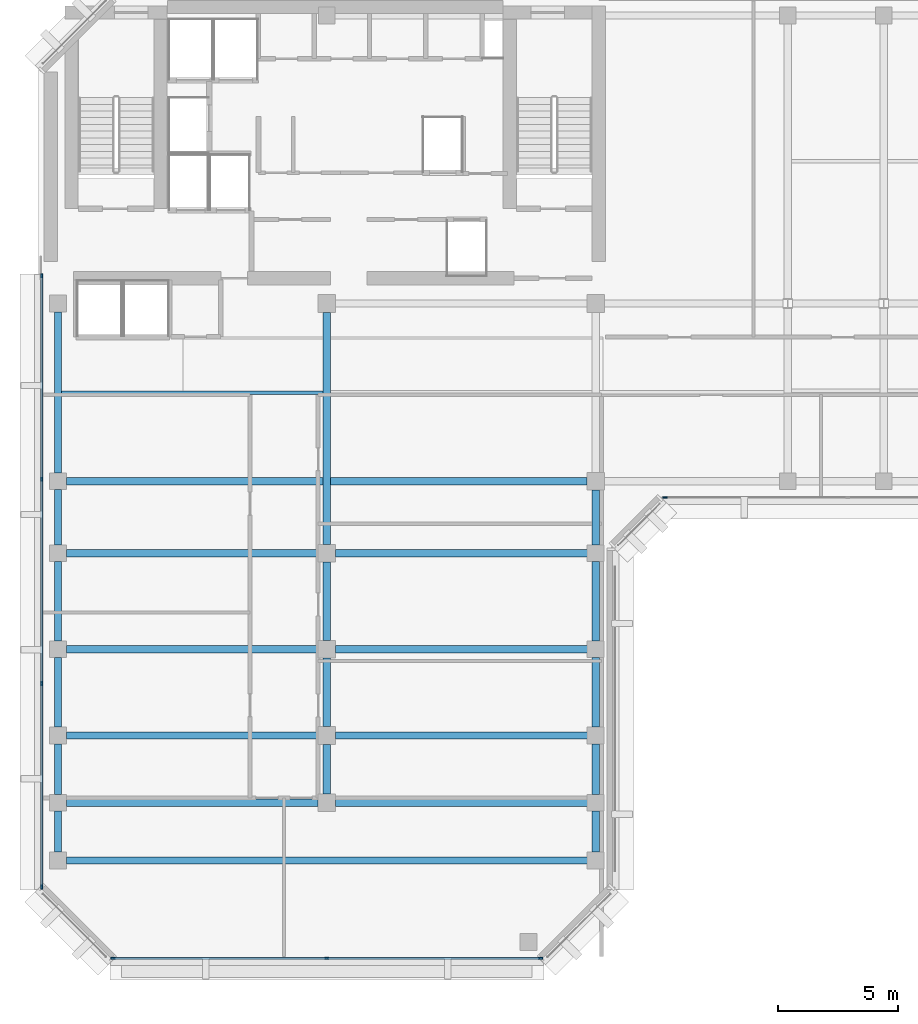
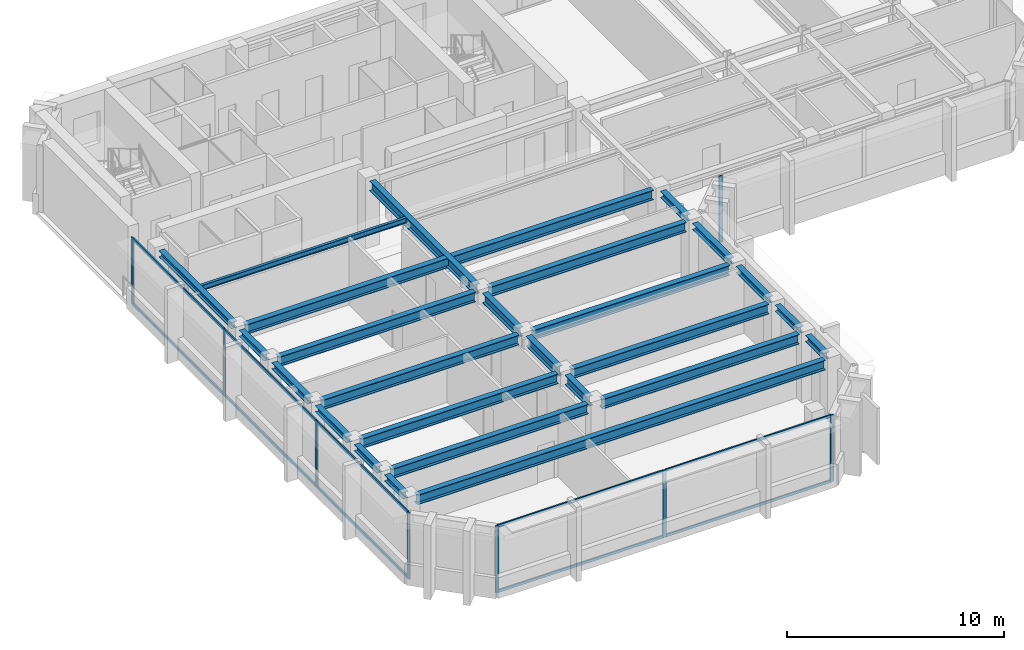
# One storey, part 2 of 11: 26 beams, 18 members, 3 elements without a shape of their own.
"""IFC4 building model written with IfcOpenShell, lengths in metres."""

from ifc_helpers import new_model, si_unit, direction, frame, origin, origin_2d, place, context, subcontext, project, spatial, rectangle, i_section, extrude, material, layer, layer_set, material_profile, profile_set, type_object, element, aggregate, save


model = new_model("IFC4")

# Units and contexts
model_context = context("Model", 3, precision=1e-05, world=origin(), true_north=direction((0.0, 1.0)))
body_context = subcontext(model_context, "Body", "Model", "MODEL_VIEW")
ifc_project = project(units=[si_unit("LENGTHUNIT", "METRE"), si_unit("AREAUNIT", "SQUARE_METRE"), si_unit("VOLUMEUNIT", "CUBIC_METRE"), si_unit("PLANEANGLEUNIT", "RADIAN"), si_unit("MASSUNIT", "GRAM", prefix="KILO")], contexts=[model_context])

# Site, building, storey
site_placement = place(None, origin())
site = spatial("IfcSite", under=ifc_project, at=site_placement, CompositionType="ELEMENT")
building_placement = place(site_placement, origin())
building = spatial("IfcBuilding", under=site, at=building_placement, Name="Kefirva Bronze Tower", CompositionType="ELEMENT")
storey_placement = place(building_placement, frame((0.0, 0.0, 303.929931640625)))
storey = spatial("IfcBuildingStorey", under=building, at=storey_placement, Name="L74", CompositionType="ELEMENT", Elevation=303.929931640625)

# Curtain wall, members
ifc_material_1 = material(Name="Bronze anodised aluminium", Category="aluminium")
ifc_layer = layer(ifc_material_1, 0.179931640625, Name="Bronze anodised aluminium")
ifc_layer_set = layer_set([ifc_layer], Name="Bronze anodised aluminium")
curtain_wall_type = type_object("IfcCurtainWallType", Name="Unitised Bronze Ribbon Curtain Wall Zone 4", PredefinedType="USERDEFINED", material=ifc_layer_set)
curtain_wall_1_placement = place(storey_placement, origin())
curtain_wall_1 = element("IfcCurtainWall", 1, at=curtain_wall_1_placement, inside=storey, type_object=curtain_wall_type, Name="L74 Curtain Wall 1", ObjectType="UNITISED CURTAIN WALL", PredefinedType="USERDEFINED")
ifc_material_profile_1 = material_profile(ifc_material_1, rectangle(XDim=0.074951171875, YDim=0.179931640625, at=origin_2d()), Name="ALU 75x180")
ifc_profile_set_1 = profile_set([ifc_material_profile_1], Name="Bronze anodised aluminium")
member_type_1 = type_object("IfcMemberType", Name="Bronze Mullion 75x180", PredefinedType="MULLION", material=ifc_profile_set_1)
member_1_placement = place(storey_placement, frame((3.092529296875, 5.919921875, 0.0), z_axis=(0.0, 0.0, 1.0), x_axis=(0.0, 1.0, 0.0)))
member_1 = element("IfcMember", 2, at=member_1_placement, type_object=member_type_1, Name="CW-04 mullion 1", PredefinedType="MULLION", context=body_context, shape_type="SweptSolid", body=[
    extrude(rectangle(XDim=0.074951171875, YDim=0.179931640625, at=origin_2d()), origin(), (0.0, 0.0, 1.0), 3.739990234375),
])
member_2_placement = place(storey_placement, frame((12.0, 5.919921875, 0.0), z_axis=(0.0, 0.0, 1.0), x_axis=(0.0, 1.0, 0.0)))
member_2 = element("IfcMember", 3, at=member_2_placement, type_object=member_type_1, Name="CW-04 mullion 2", PredefinedType="MULLION", context=body_context, shape_type="SweptSolid", body=[
    extrude(rectangle(XDim=0.074951171875, YDim=0.179931640625, at=origin_2d()), origin(), (0.0, 0.0, 1.0), 3.739990234375),
])
member_3_placement = place(storey_placement, frame((20.907470703125, 5.919921875, 0.0), z_axis=(0.0, 0.0, 1.0), x_axis=(0.0, 1.0, 0.0)))
member_3 = element("IfcMember", 4, at=member_3_placement, type_object=member_type_1, Name="CW-04 mullion 3", PredefinedType="MULLION", context=body_context, shape_type="SweptSolid", body=[
    extrude(rectangle(XDim=0.074951171875, YDim=0.179931640625, at=origin_2d()), origin(), (0.0, 0.0, 1.0), 3.739990234375),
])

# Curtain wall, member
curtain_wall_2_placement = place(storey_placement, origin())
curtain_wall_2 = element("IfcCurtainWall", 5, at=curtain_wall_2_placement, inside=storey, type_object=curtain_wall_type, Name="L74 Curtain Wall 2", ObjectType="UNITISED CURTAIN WALL", PredefinedType="USERDEFINED")
member_4_placement = place(storey_placement, frame((26.092529296875, 25.1201171875, 0.0), z_axis=(0.0, 0.0, 1.0), x_axis=(0.0, 1.0, 0.0)))
member_4 = element("IfcMember", 6, at=member_4_placement, type_object=member_type_1, Name="CW-04 mullion 1", PredefinedType="MULLION", context=body_context, shape_type="SweptSolid", body=[
    extrude(rectangle(XDim=0.074951171875, YDim=0.179931640625, at=origin_2d()), origin(), (0.0, 0.0, 1.0), 3.739990234375),
])
aggregate(curtain_wall_2, [member_4])

# Curtain wall, members
curtain_wall_3_placement = place(storey_placement, origin())
curtain_wall_3 = element("IfcCurtainWall", 7, at=curtain_wall_3_placement, inside=storey, type_object=curtain_wall_type, Name="L74 Curtain Wall 5", ObjectType="UNITISED CURTAIN WALL", PredefinedType="USERDEFINED")
member_5_placement = place(storey_placement, frame((0.1201171875, 34.357421875, 0.0), z_axis=(0.0, 0.0, 1.0), x_axis=(1.0, 0.0, 0.0)))
member_5 = element("IfcMember", 8, at=member_5_placement, type_object=member_type_1, Name="CW-04 mullion 1", PredefinedType="MULLION", context=body_context, shape_type="SweptSolid", body=[
    extrude(rectangle(XDim=0.074951171875, YDim=0.179931640625, at=origin_2d()), origin(), (0.0, 0.0, 1.0), 3.739990234375),
])
member_6_placement = place(storey_placement, frame((0.1201171875, 25.881591796875, 0.0), z_axis=(0.0, 0.0, 1.0), x_axis=(1.0, 0.0, 0.0)))
member_6 = element("IfcMember", 9, at=member_6_placement, type_object=member_type_1, Name="CW-04 mullion 2", PredefinedType="MULLION", context=body_context, shape_type="SweptSolid", body=[
    extrude(rectangle(XDim=0.074951171875, YDim=0.179931640625, at=origin_2d()), origin(), (0.0, 0.0, 1.0), 3.739990234375),
])
member_7_placement = place(storey_placement, frame((0.1201171875, 17.368408203125, 0.0), z_axis=(0.0, 0.0, 1.0), x_axis=(1.0, 0.0, 0.0)))
member_7 = element("IfcMember", 10, at=member_7_placement, type_object=member_type_1, Name="CW-04 mullion 3", PredefinedType="MULLION", context=body_context, shape_type="SweptSolid", body=[
    extrude(rectangle(XDim=0.074951171875, YDim=0.179931640625, at=origin_2d()), origin(), (0.0, 0.0, 1.0), 3.739990234375),
])
member_8_placement = place(storey_placement, frame((0.1201171875, 8.892578125, 0.0), z_axis=(0.0, 0.0, 1.0), x_axis=(1.0, 0.0, 0.0)))
member_8 = element("IfcMember", 11, at=member_8_placement, type_object=member_type_1, Name="CW-04 mullion 4", PredefinedType="MULLION", context=body_context, shape_type="SweptSolid", body=[
    extrude(rectangle(XDim=0.074951171875, YDim=0.179931640625, at=origin_2d()), origin(), (0.0, 0.0, 1.0), 3.739990234375),
])

# Member
ifc_material_profile_2 = material_profile(ifc_material_1, rectangle(XDim=0.074951171875, YDim=0.14990234375, at=origin_2d()), Name="ALU 75x150")
ifc_profile_set_2 = profile_set([ifc_material_profile_2], Name="Bronze anodised aluminium")
member_type_2 = type_object("IfcMemberType", Name="Bronze Transom 75x150", PredefinedType="USERDEFINED", material=ifc_profile_set_2)
member_9_placement = place(storey_placement, frame((3.1298828125, 5.919921875, 0.03759765625), z_axis=(1.0, 0.0, 0.0), x_axis=(0.0, 1.0, 0.0)))
member_9 = element("IfcMember", 12, at=member_9_placement, type_object=member_type_2, Name="CW-04 transom 1.1", ObjectType="TRANSOM", PredefinedType="USERDEFINED", context=body_context, shape_type="SweptSolid", body=[
    extrude(rectangle(XDim=0.074951171875, YDim=0.14990234375, at=origin_2d()), origin(), (0.0, 0.0, 1.0), 8.83251953125),
])

member_10_placement = place(storey_placement, frame((3.1298828125, 5.919921875, 3.70263671875), z_axis=(1.0, 0.0, 0.0), x_axis=(0.0, 1.0, 0.0)))
member_10 = element("IfcMember", 13, at=member_10_placement, type_object=member_type_2, Name="CW-04 transom 1.2", ObjectType="TRANSOM", PredefinedType="USERDEFINED", context=body_context, shape_type="SweptSolid", body=[
    extrude(rectangle(XDim=0.074951171875, YDim=0.14990234375, at=origin_2d()), origin(), (0.0, 0.0, 1.0), 8.83251953125),
])

member_11_placement = place(storey_placement, frame((12.03759765625, 5.919921875, 0.03759765625), z_axis=(1.0, 0.0, 0.0), x_axis=(0.0, 1.0, 0.0)))
member_11 = element("IfcMember", 14, at=member_11_placement, type_object=member_type_2, Name="CW-04 transom 2.1", ObjectType="TRANSOM", PredefinedType="USERDEFINED", context=body_context, shape_type="SweptSolid", body=[
    extrude(rectangle(XDim=0.074951171875, YDim=0.14990234375, at=origin_2d()), origin(), (0.0, 0.0, 1.0), 8.83251953125),
])

member_12_placement = place(storey_placement, frame((12.03759765625, 5.919921875, 3.70263671875), z_axis=(1.0, 0.0, 0.0), x_axis=(0.0, 1.0, 0.0)))
member_12 = element("IfcMember", 15, at=member_12_placement, type_object=member_type_2, Name="CW-04 transom 2.2", ObjectType="TRANSOM", PredefinedType="USERDEFINED", context=body_context, shape_type="SweptSolid", body=[
    extrude(rectangle(XDim=0.074951171875, YDim=0.14990234375, at=origin_2d()), origin(), (0.0, 0.0, 1.0), 8.83251953125),
])

aggregate(curtain_wall_1, [member_1, member_2, member_3, member_9, member_10, member_11, member_12])

member_13_placement = place(storey_placement, frame((0.1201171875, 34.320068359375, 0.03759765625), z_axis=(0.0, -1.0, 0.0), x_axis=(1.0, 0.0, 0.0)))
member_13 = element("IfcMember", 16, at=member_13_placement, type_object=member_type_2, Name="CW-04 transom 1.1", ObjectType="TRANSOM", PredefinedType="USERDEFINED", context=body_context, shape_type="SweptSolid", body=[
    extrude(rectangle(XDim=0.074951171875, YDim=0.14990234375, at=origin_2d()), origin(), (0.0, 0.0, 1.0), 8.40087890625),
])

member_14_placement = place(storey_placement, frame((0.1201171875, 34.320068359375, 3.70263671875), z_axis=(0.0, -1.0, 0.0), x_axis=(1.0, 0.0, 0.0)))
member_14 = element("IfcMember", 17, at=member_14_placement, type_object=member_type_2, Name="CW-04 transom 1.2", ObjectType="TRANSOM", PredefinedType="USERDEFINED", context=body_context, shape_type="SweptSolid", body=[
    extrude(rectangle(XDim=0.074951171875, YDim=0.14990234375, at=origin_2d()), origin(), (0.0, 0.0, 1.0), 8.40087890625),
])

member_15_placement = place(storey_placement, frame((0.1201171875, 25.84423828125, 0.03759765625), z_axis=(0.0, -1.0, 0.0), x_axis=(1.0, 0.0, 0.0)))
member_15 = element("IfcMember", 18, at=member_15_placement, type_object=member_type_2, Name="CW-04 transom 2.1", ObjectType="TRANSOM", PredefinedType="USERDEFINED", context=body_context, shape_type="SweptSolid", body=[
    extrude(rectangle(XDim=0.074951171875, YDim=0.14990234375, at=origin_2d()), origin(), (0.0, 0.0, 1.0), 8.4384765625),
])

member_16_placement = place(storey_placement, frame((0.1201171875, 25.84423828125, 3.70263671875), z_axis=(0.0, -1.0, 0.0), x_axis=(1.0, 0.0, 0.0)))
member_16 = element("IfcMember", 19, at=member_16_placement, type_object=member_type_2, Name="CW-04 transom 2.2", ObjectType="TRANSOM", PredefinedType="USERDEFINED", context=body_context, shape_type="SweptSolid", body=[
    extrude(rectangle(XDim=0.074951171875, YDim=0.14990234375, at=origin_2d()), origin(), (0.0, 0.0, 1.0), 8.4384765625),
])

member_17_placement = place(storey_placement, frame((0.1201171875, 17.330810546875, 0.03759765625), z_axis=(0.0, -1.0, 0.0), x_axis=(1.0, 0.0, 0.0)))
member_17 = element("IfcMember", 20, at=member_17_placement, type_object=member_type_2, Name="CW-04 transom 3.1", ObjectType="TRANSOM", PredefinedType="USERDEFINED", context=body_context, shape_type="SweptSolid", body=[
    extrude(rectangle(XDim=0.074951171875, YDim=0.14990234375, at=origin_2d()), origin(), (0.0, 0.0, 1.0), 8.40087890625),
])

member_18_placement = place(storey_placement, frame((0.1201171875, 17.330810546875, 3.70263671875), z_axis=(0.0, -1.0, 0.0), x_axis=(1.0, 0.0, 0.0)))
member_18 = element("IfcMember", 21, at=member_18_placement, type_object=member_type_2, Name="CW-04 transom 3.2", ObjectType="TRANSOM", PredefinedType="USERDEFINED", context=body_context, shape_type="SweptSolid", body=[
    extrude(rectangle(XDim=0.074951171875, YDim=0.14990234375, at=origin_2d()), origin(), (0.0, 0.0, 1.0), 8.40087890625),
])

aggregate(curtain_wall_3, [member_5, member_6, member_7, member_8, member_13, member_14, member_15, member_16, member_17, member_18])

# Beams
ifc_material_2 = material(Name="Steel S355", Category="steel")
ifc_material_profile_3 = material_profile(ifc_material_2, i_section(OverallWidth=0.14990234375, OverallDepth=0.300048828125, WebThickness=0.007080078125, FlangeThickness=0.0107421875, at=origin_2d()), Name="IPE 300")
ifc_profile_set_3 = profile_set([ifc_material_profile_3], Name="Steel S355")
beam_type_1 = type_object("IfcBeamType", Name="Steel Floor Joist IPE 300", PredefinedType="JOIST", material=ifc_profile_set_3)
beam_1_placement = place(storey_placement, frame((0.949951171875, 29.489990234375, 3.590087890625), z_axis=(1.0, 0.0, 0.0), x_axis=(0.0, 1.0, 0.0)))
element("IfcBeam", 22, at=beam_1_placement, inside=storey, type_object=beam_type_1, Name="L74 JST-L74-0-294", PredefinedType="JOIST", context=body_context, shape_type="SweptSolid", body=[
    extrude(i_section(OverallWidth=0.14990234375, OverallDepth=0.300048828125, WebThickness=0.007080078125, FlangeThickness=0.0107421875, at=origin_2d()), origin(), (0.0, 0.0, 1.0), 10.900146484375),
])
ifc_material_profile_4 = material_profile(ifc_material_2, i_section(OverallWidth=0.300048828125, OverallDepth=0.550048828125, WebThickness=0.014892578125, FlangeThickness=0.029052734375, at=origin_2d()), Name="HEB 550")
ifc_profile_set_4 = profile_set([ifc_material_profile_4], Name="Steel S355")
beam_type_2 = type_object("IfcBeamType", Name="Steel Girder HEB 550", PredefinedType="USERDEFINED", material=ifc_profile_set_4)
beam_2_placement = place(storey_placement, frame((1.14990234375, 10.0, 3.465087890625), z_axis=(1.0, 0.0, 0.0), x_axis=(0.0, 1.0, 0.0)))
element("IfcBeam", 23, at=beam_2_placement, inside=storey, type_object=beam_type_2, Name="L74 BM-L74-EW-0-100", ObjectType="GIRDER", PredefinedType="USERDEFINED", context=body_context, shape_type="SweptSolid", body=[
    extrude(i_section(OverallWidth=0.300048828125, OverallDepth=0.550048828125, WebThickness=0.014892578125, FlangeThickness=0.029052734375, at=origin_2d()), origin(), (0.0, 0.0, 1.0), 21.7001953125),
])
for number, where, z_axis, x_axis, name in (
    (24, (1.14990234375, 12.39990234375, 3.465087890625), (1.0, 0.0, 0.0), (0.0, 1.0, 0.0), "L74 BM-L74-EW-0-124"),
    (25, (12.3701171875, 12.39990234375, 3.465087890625), (1.0, 0.0, 0.0), (0.0, 1.0, 0.0), "L74 BM-L74-EW-12-124"),
    (26, (1.14990234375, 15.199951171875, 3.465087890625), (1.0, 0.0, 0.0), (0.0, 1.0, 0.0), "L74 BM-L74-EW-0-152"),
    (27, (12.3701171875, 15.199951171875, 3.465087890625), (1.0, 0.0, 0.0), (0.0, 1.0, 0.0), "L74 BM-L74-EW-12-152"),
    (28, (1.14990234375, 18.800048828125, 3.465087890625), (1.0, 0.0, 0.0), (0.0, 1.0, 0.0), "L74 BM-L74-EW-0-188"),
    (29, (12.3701171875, 18.800048828125, 3.465087890625), (1.0, 0.0, 0.0), (0.0, 1.0, 0.0), "L74 BM-L74-EW-12-188"),
    (30, (1.14990234375, 22.800048828125, 3.465087890625), (1.0, 0.0, 0.0), (0.0, 1.0, 0.0), "L74 BM-L74-EW-0-228"),
    (31, (12.3701171875, 22.800048828125, 3.465087890625), (1.0, 0.0, 0.0), (0.0, 1.0, 0.0), "L74 BM-L74-EW-12-228"),
):
    element("IfcBeam", number, at=place(storey_placement, frame(where, z_axis=z_axis, x_axis=x_axis)), inside=storey, type_object=beam_type_2, Name=name, ObjectType="GIRDER", PredefinedType="USERDEFINED", context=body_context, shape_type="SweptSolid", body=[
        extrude(i_section(OverallWidth=0.300048828125, OverallDepth=0.550048828125, WebThickness=0.014892578125, FlangeThickness=0.029052734375, at=origin_2d()), origin(), (0.0, 0.0, 1.0), 10.47998046875),
    ])
beam_3_placement = place(storey_placement, frame((1.14990234375, 25.800048828125, 3.465087890625), z_axis=(1.0, 0.0, 0.0), x_axis=(0.0, 1.0, 0.0)))
element("IfcBeam", 32, at=beam_3_placement, inside=storey, type_object=beam_type_2, Name="L74 BM-L74-EW-0-258", ObjectType="GIRDER", PredefinedType="USERDEFINED", context=body_context, shape_type="SweptSolid", body=[
    extrude(i_section(OverallWidth=0.300048828125, OverallDepth=0.550048828125, WebThickness=0.014892578125, FlangeThickness=0.029052734375, at=origin_2d()), origin(), (0.0, 0.0, 1.0), 21.68017578125),
])
beam_4_placement = place(storey_placement, frame((12.0, 12.77001953125, 3.465087890625), z_axis=(0.0, 1.0, 0.0), x_axis=(-1.0, 0.0, 0.0)))
element("IfcBeam", 33, at=beam_4_placement, inside=storey, type_object=beam_type_2, Name="L74 BM-L74-NS-120-12", ObjectType="GIRDER", PredefinedType="USERDEFINED", context=body_context, shape_type="SweptSolid", body=[
    extrude(i_section(OverallWidth=0.300048828125, OverallDepth=0.550048828125, WebThickness=0.014892578125, FlangeThickness=0.029052734375, at=origin_2d()), origin(), (0.0, 0.0, 1.0), 2.06005859375),
])
beam_5_placement = place(storey_placement, frame((12.0, 15.570068359375, 3.465087890625), z_axis=(0.0, 1.0, 0.0), x_axis=(-1.0, 0.0, 0.0)))
element("IfcBeam", 34, at=beam_5_placement, inside=storey, type_object=beam_type_2, Name="L74 BM-L74-NS-120-15", ObjectType="GIRDER", PredefinedType="USERDEFINED", context=body_context, shape_type="SweptSolid", body=[
    extrude(i_section(OverallWidth=0.300048828125, OverallDepth=0.550048828125, WebThickness=0.014892578125, FlangeThickness=0.029052734375, at=origin_2d()), origin(), (0.0, 0.0, 1.0), 2.85986328125),
])
beam_6_placement = place(storey_placement, frame((12.0, 19.169921875, 3.465087890625), z_axis=(0.0, 1.0, 0.0), x_axis=(-1.0, 0.0, 0.0)))
element("IfcBeam", 35, at=beam_6_placement, inside=storey, type_object=beam_type_2, Name="L74 BM-L74-NS-120-18", ObjectType="GIRDER", PredefinedType="USERDEFINED", context=body_context, shape_type="SweptSolid", body=[
    extrude(i_section(OverallWidth=0.300048828125, OverallDepth=0.550048828125, WebThickness=0.014892578125, FlangeThickness=0.029052734375, at=origin_2d()), origin(), (0.0, 0.0, 1.0), 3.260009765625),
])
beam_7_placement = place(storey_placement, frame((12.0, 23.169921875, 3.465087890625), z_axis=(0.0, 1.0, 0.0), x_axis=(-1.0, 0.0, 0.0)))
element("IfcBeam", 36, at=beam_7_placement, inside=storey, type_object=beam_type_2, Name="L74 BM-L74-NS-120-22", ObjectType="GIRDER", PredefinedType="USERDEFINED", context=body_context, shape_type="SweptSolid", body=[
    extrude(i_section(OverallWidth=0.300048828125, OverallDepth=0.550048828125, WebThickness=0.014892578125, FlangeThickness=0.029052734375, at=origin_2d()), origin(), (0.0, 0.0, 1.0), 9.66015625),
])
ifc_material_profile_5 = material_profile(ifc_material_2, i_section(OverallWidth=0.300048828125, OverallDepth=0.360107421875, WebThickness=0.012451171875, FlangeThickness=0.0224609375, at=origin_2d()), Name="HEB 360")
ifc_profile_set_5 = profile_set([ifc_material_profile_5], Name="Steel S355")
beam_type_3 = type_object("IfcBeamType", Name="Steel Spandrel HEB 360 Ext", PredefinedType="SPANDREL", material=ifc_profile_set_5)
beam_8_placement = place(storey_placement, frame((0.800048828125, 10.35009765625, 3.56005859375), z_axis=(0.0, 1.0, 0.0), x_axis=(-1.0, 0.0, 0.0)))
element("IfcBeam", 37, at=beam_8_placement, inside=storey, type_object=beam_type_3, Name="L74 BM-L74-NS-8-10", PredefinedType="SPANDREL", context=body_context, shape_type="SweptSolid", body=[
    extrude(i_section(OverallWidth=0.300048828125, OverallDepth=0.360107421875, WebThickness=0.012451171875, FlangeThickness=0.0224609375, at=origin_2d()), origin(), (0.0, 0.0, 1.0), 1.699951171875),
])
beam_9_placement = place(storey_placement, frame((0.800048828125, 12.75, 3.56005859375), z_axis=(0.0, 1.0, 0.0), x_axis=(-1.0, 0.0, 0.0)))
element("IfcBeam", 38, at=beam_9_placement, inside=storey, type_object=beam_type_3, Name="L74 BM-L74-NS-8-12", PredefinedType="SPANDREL", context=body_context, shape_type="SweptSolid", body=[
    extrude(i_section(OverallWidth=0.300048828125, OverallDepth=0.360107421875, WebThickness=0.012451171875, FlangeThickness=0.0224609375, at=origin_2d()), origin(), (0.0, 0.0, 1.0), 2.10009765625),
])
beam_10_placement = place(storey_placement, frame((0.800048828125, 15.550048828125, 3.56005859375), z_axis=(0.0, 1.0, 0.0), x_axis=(-1.0, 0.0, 0.0)))
element("IfcBeam", 39, at=beam_10_placement, inside=storey, type_object=beam_type_3, Name="L74 BM-L74-NS-8-15", PredefinedType="SPANDREL", context=body_context, shape_type="SweptSolid", body=[
    extrude(i_section(OverallWidth=0.300048828125, OverallDepth=0.360107421875, WebThickness=0.012451171875, FlangeThickness=0.0224609375, at=origin_2d()), origin(), (0.0, 0.0, 1.0), 2.89990234375),
])
beam_11_placement = place(storey_placement, frame((0.800048828125, 19.14990234375, 3.56005859375), z_axis=(0.0, 1.0, 0.0), x_axis=(-1.0, 0.0, 0.0)))
element("IfcBeam", 40, at=beam_11_placement, inside=storey, type_object=beam_type_3, Name="L74 BM-L74-NS-8-18", PredefinedType="SPANDREL", context=body_context, shape_type="SweptSolid", body=[
    extrude(i_section(OverallWidth=0.300048828125, OverallDepth=0.360107421875, WebThickness=0.012451171875, FlangeThickness=0.0224609375, at=origin_2d()), origin(), (0.0, 0.0, 1.0), 3.300048828125),
])
beam_12_placement = place(storey_placement, frame((0.800048828125, 23.14990234375, 3.56005859375), z_axis=(0.0, 1.0, 0.0), x_axis=(-1.0, 0.0, 0.0)))
element("IfcBeam", 41, at=beam_12_placement, inside=storey, type_object=beam_type_3, Name="L74 BM-L74-NS-8-22", PredefinedType="SPANDREL", context=body_context, shape_type="SweptSolid", body=[
    extrude(i_section(OverallWidth=0.300048828125, OverallDepth=0.360107421875, WebThickness=0.012451171875, FlangeThickness=0.0224609375, at=origin_2d()), origin(), (0.0, 0.0, 1.0), 2.300048828125),
])
beam_13_placement = place(storey_placement, frame((0.800048828125, 26.14990234375, 3.56005859375), z_axis=(0.0, 1.0, 0.0), x_axis=(-1.0, 0.0, 0.0)))
element("IfcBeam", 42, at=beam_13_placement, inside=storey, type_object=beam_type_3, Name="L74 BM-L74-NS-8-25", PredefinedType="SPANDREL", context=body_context, shape_type="SweptSolid", body=[
    extrude(i_section(OverallWidth=0.300048828125, OverallDepth=0.360107421875, WebThickness=0.012451171875, FlangeThickness=0.0224609375, at=origin_2d()), origin(), (0.0, 0.0, 1.0), 6.7001953125),
])
beam_14_placement = place(storey_placement, frame((23.199951171875, 10.35009765625, 3.56005859375), z_axis=(0.0, 1.0, 0.0), x_axis=(-1.0, 0.0, 0.0)))
element("IfcBeam", 43, at=beam_14_placement, inside=storey, type_object=beam_type_3, Name="L74 BM-L74-NS-232-10", PredefinedType="SPANDREL", context=body_context, shape_type="SweptSolid", body=[
    extrude(i_section(OverallWidth=0.300048828125, OverallDepth=0.360107421875, WebThickness=0.012451171875, FlangeThickness=0.0224609375, at=origin_2d()), origin(), (0.0, 0.0, 1.0), 1.699951171875),
])
beam_15_placement = place(storey_placement, frame((23.199951171875, 12.75, 3.56005859375), z_axis=(0.0, 1.0, 0.0), x_axis=(-1.0, 0.0, 0.0)))
element("IfcBeam", 44, at=beam_15_placement, inside=storey, type_object=beam_type_3, Name="L74 BM-L74-NS-232-12", PredefinedType="SPANDREL", context=body_context, shape_type="SweptSolid", body=[
    extrude(i_section(OverallWidth=0.300048828125, OverallDepth=0.360107421875, WebThickness=0.012451171875, FlangeThickness=0.0224609375, at=origin_2d()), origin(), (0.0, 0.0, 1.0), 2.10009765625),
])
beam_16_placement = place(storey_placement, frame((23.199951171875, 15.550048828125, 3.56005859375), z_axis=(0.0, 1.0, 0.0), x_axis=(-1.0, 0.0, 0.0)))
element("IfcBeam", 45, at=beam_16_placement, inside=storey, type_object=beam_type_3, Name="L74 BM-L74-NS-232-15", PredefinedType="SPANDREL", context=body_context, shape_type="SweptSolid", body=[
    extrude(i_section(OverallWidth=0.300048828125, OverallDepth=0.360107421875, WebThickness=0.012451171875, FlangeThickness=0.0224609375, at=origin_2d()), origin(), (0.0, 0.0, 1.0), 2.89990234375),
])
beam_17_placement = place(storey_placement, frame((23.199951171875, 19.14990234375, 3.56005859375), z_axis=(0.0, 1.0, 0.0), x_axis=(-1.0, 0.0, 0.0)))
element("IfcBeam", 46, at=beam_17_placement, inside=storey, type_object=beam_type_3, Name="L74 BM-L74-NS-232-18", PredefinedType="SPANDREL", context=body_context, shape_type="SweptSolid", body=[
    extrude(i_section(OverallWidth=0.300048828125, OverallDepth=0.360107421875, WebThickness=0.012451171875, FlangeThickness=0.0224609375, at=origin_2d()), origin(), (0.0, 0.0, 1.0), 3.300048828125),
])
beam_18_placement = place(storey_placement, frame((23.199951171875, 23.14990234375, 3.56005859375), z_axis=(0.0, 1.0, 0.0), x_axis=(-1.0, 0.0, 0.0)))
element("IfcBeam", 47, at=beam_18_placement, inside=storey, type_object=beam_type_3, Name="L74 BM-L74-NS-232-22", PredefinedType="SPANDREL", context=body_context, shape_type="SweptSolid", body=[
    extrude(i_section(OverallWidth=0.300048828125, OverallDepth=0.360107421875, WebThickness=0.012451171875, FlangeThickness=0.0224609375, at=origin_2d()), origin(), (0.0, 0.0, 1.0), 2.280029296875),
])

save(model, "model.ifc")
